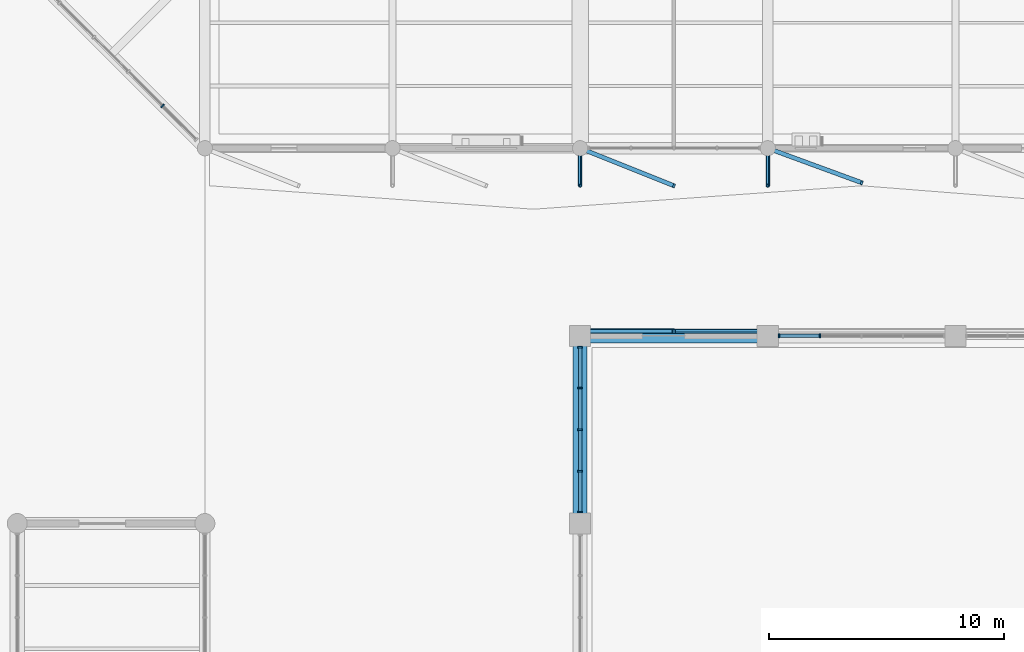
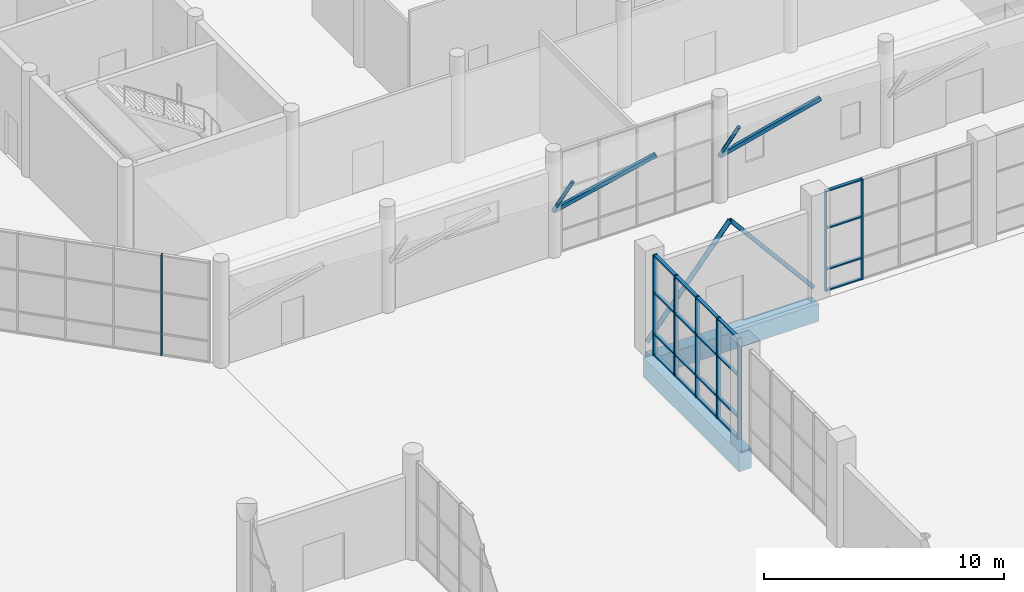
# One storey, part 45 of 123: 34 members, 2 beams, 3 elements without a shape of their own.
"""IFC4 building model written with IfcOpenShell, lengths in metres."""

from ifc_helpers import new_model, si_unit, direction, frame, origin, origin_2d, place, context, subcontext, project, spatial, rectangle, hollow_rectangle, hollow_circle, extrude, material, material_profile, profile_set, type_object, element, aggregate, save


model = new_model("IFC4")

# Units and contexts
model_context = context("Model", 3, precision=1e-05, world=origin(), true_north=direction((0.0, 1.0)))
body_context = subcontext(model_context, "Body", "Model", "MODEL_VIEW")
ifc_project = project(units=[si_unit("LENGTHUNIT", "METRE"), si_unit("AREAUNIT", "SQUARE_METRE"), si_unit("VOLUMEUNIT", "CUBIC_METRE"), si_unit("PLANEANGLEUNIT", "RADIAN"), si_unit("MASSUNIT", "GRAM", prefix="KILO")], contexts=[model_context])

# Site, building, storey
site_placement = place(None, origin())
site = spatial("IfcSite", under=ifc_project, at=site_placement, CompositionType="ELEMENT")
building_placement = place(site_placement, origin())
building = spatial("IfcBuilding", under=site, at=building_placement, Name="Tenunan Teduh Sports Hall", CompositionType="ELEMENT")
storey_placement = place(building_placement, origin())
storey = spatial("IfcBuildingStorey", under=building, at=storey_placement, Name="L00", CompositionType="ELEMENT", Elevation=0.0)

# Beams
ifc_material_1 = material(Name="Concrete C40/50", Category="concrete")
ifc_material_profile_1 = material_profile(ifc_material_1, rectangle(XDim=0.60009765625, YDim=1.0, at=origin_2d()), Name="RCB 600x1000")
ifc_profile_set_1 = profile_set([ifc_material_profile_1], Name="Concrete C40/50")
beam_type_1 = type_object("IfcBeamType", Name="BM-RC-600x1000", PredefinedType="BEAM", material=ifc_profile_set_1)
beam_1_placement = place(storey_placement, frame((122.0, 70.0, -0.800048828125), z_axis=(0.0, 1.0, 0.0), x_axis=(-1.0, 0.0, 0.0)))
element("IfcBeam", 1, at=beam_1_placement, inside=storey, type_object=beam_type_1, Name="BM-B-18-L00-0853", PredefinedType="BEAM", context=body_context, shape_type="SweptSolid", body=[
    extrude(rectangle(XDim=0.60009765625, YDim=1.0, at=origin_2d()), origin(), (0.0, 0.0, 1.0), 8.0),
])
ifc_material_2 = material(Name="Concrete C40/50", Category="concrete")
ifc_material_profile_2 = material_profile(ifc_material_2, rectangle(XDim=0.60009765625, YDim=0.89990234375, at=origin_2d()), Name="RCB 600x900")
ifc_profile_set_2 = profile_set([ifc_material_profile_2], Name="Concrete C40/50")
beam_type_2 = type_object("IfcBeamType", Name="BM-RC-600x900", PredefinedType="BEAM", material=ifc_profile_set_2)
beam_2_placement = place(storey_placement, frame((122.0, 78.0, -0.75), z_axis=(1.0, 0.0, 0.0), x_axis=(0.0, 1.0, 0.0)))
element("IfcBeam", 2, at=beam_2_placement, inside=storey, type_object=beam_type_2, Name="BM-B-17-L00-0679", PredefinedType="BEAM", context=body_context, shape_type="SweptSolid", body=[
    extrude(rectangle(XDim=0.60009765625, YDim=0.89990234375, at=origin_2d()), origin(), (0.0, 0.0, 1.0), 8.0),
])

# Curtain wall, members
ifc_material_3 = material(Name="Anodised aluminium", Category="aluminium")
curtain_wall_type = type_object("IfcCurtainWallType", Name="CW-UNIT-1", PredefinedType="NOTDEFINED", material=ifc_material_3)
curtain_wall_1_placement = place(storey_placement, origin())
curtain_wall_1 = element("IfcCurtainWall", 3, at=curtain_wall_1_placement, inside=storey, type_object=curtain_wall_type, Name="CW-CWM-175-L00-110", PredefinedType="NOTDEFINED")
ifc_material_4 = material(Name="Anodised aluminium", Category="aluminium")
ifc_material_profile_3 = material_profile(ifc_material_4, rectangle(XDim=0.06494140625, YDim=0.175048828125, at=origin_2d()), Name="CWM 65x175")
ifc_profile_set_3 = profile_set([ifc_material_profile_3], Name="Anodised aluminium")
member_type_1 = type_object("IfcMemberType", Name="CWM-175", PredefinedType="MULLION", material=ifc_profile_set_3)
member_1_placement = place(storey_placement, frame((130.482421875, 78.0, 0.0), z_axis=(0.0, 0.0, 1.0), x_axis=(1.0, 0.0, 0.0)))
member_1 = element("IfcMember", 4, at=member_1_placement, type_object=member_type_1, Name="CW-01 mullion 1", PredefinedType="MULLION", context=body_context, shape_type="SweptSolid", body=[
    extrude(rectangle(XDim=0.06494140625, YDim=0.175048828125, at=origin_2d()), origin(), (0.0, 0.0, 1.0), 5.1201171875),
])
member_2_placement = place(storey_placement, frame((132.22509765625, 78.0, 0.0), z_axis=(0.0, 0.0, 1.0), x_axis=(1.0, 0.0, 0.0)))
member_2 = element("IfcMember", 5, at=member_2_placement, type_object=member_type_1, Name="CW-01 mullion 2", PredefinedType="MULLION", context=body_context, shape_type="SweptSolid", body=[
    extrude(rectangle(XDim=0.06494140625, YDim=0.175048828125, at=origin_2d()), origin(), (0.0, 0.0, 1.0), 5.1201171875),
])

# Curtain wall, member
curtain_wall_2_placement = place(storey_placement, origin())
curtain_wall_2 = element("IfcCurtainWall", 6, at=curtain_wall_2_placement, inside=storey, type_object=curtain_wall_type, Name="CW-CWM-175-L00-242", PredefinedType="NOTDEFINED")
member_3_placement = place(storey_placement, frame((104.1953125, 87.8046875, 0.0), z_axis=(0.0, 0.0, 1.0), x_axis=(-0.707106781187, 0.707106781187, 0.0)))
member_3 = element("IfcMember", 7, at=member_3_placement, type_object=member_type_1, Name="CW-01 mullion 5", PredefinedType="MULLION", context=body_context, shape_type="SweptSolid", body=[
    extrude(rectangle(XDim=0.06494140625, YDim=0.175048828125, at=origin_2d()), origin(), (0.0, 0.0, 1.0), 5.1201171875),
])
aggregate(curtain_wall_2, [member_3])

# Curtain wall, members
curtain_wall_3_placement = place(storey_placement, origin())
curtain_wall_3 = element("IfcCurtainWall", 8, at=curtain_wall_3_placement, inside=storey, type_object=curtain_wall_type, Name="CW-CWM-200-L00-116", PredefinedType="NOTDEFINED")
ifc_material_5 = material(Name="Anodised aluminium", Category="aluminium")
ifc_material_profile_4 = material_profile(ifc_material_5, rectangle(XDim=0.070068359375, YDim=0.199951171875, at=origin_2d()), Name="CWM 70x200")
ifc_profile_set_4 = profile_set([ifc_material_profile_4], Name="Anodised aluminium")
member_type_2 = type_object("IfcMemberType", Name="CWM-200", PredefinedType="MULLION", material=ifc_profile_set_4)
member_4_placement = place(storey_placement, frame((122.0, 70.485107421875, 0.0), z_axis=(0.0, 0.0, 1.0), x_axis=(0.0, 1.0, 0.0)))
member_4 = element("IfcMember", 9, at=member_4_placement, type_object=member_type_2, Name="CW-01 mullion 1", PredefinedType="MULLION", context=body_context, shape_type="SweptSolid", body=[
    extrude(rectangle(XDim=0.070068359375, YDim=0.199951171875, at=origin_2d()), origin(), (0.0, 0.0, 1.0), 5.1201171875),
])
member_5_placement = place(storey_placement, frame((122.0, 72.22509765625, 0.0), z_axis=(0.0, 0.0, 1.0), x_axis=(0.0, 1.0, 0.0)))
member_5 = element("IfcMember", 10, at=member_5_placement, type_object=member_type_2, Name="CW-01 mullion 2", PredefinedType="MULLION", context=body_context, shape_type="SweptSolid", body=[
    extrude(rectangle(XDim=0.070068359375, YDim=0.199951171875, at=origin_2d()), origin(), (0.0, 0.0, 1.0), 5.1201171875),
])
member_6_placement = place(storey_placement, frame((122.0, 74.0, 0.0), z_axis=(0.0, 0.0, 1.0), x_axis=(0.0, 1.0, 0.0)))
member_6 = element("IfcMember", 11, at=member_6_placement, type_object=member_type_2, Name="CW-01 mullion 3", PredefinedType="MULLION", context=body_context, shape_type="SweptSolid", body=[
    extrude(rectangle(XDim=0.070068359375, YDim=0.199951171875, at=origin_2d()), origin(), (0.0, 0.0, 1.0), 5.1201171875),
])
member_7_placement = place(storey_placement, frame((122.0, 75.77490234375, 0.0), z_axis=(0.0, 0.0, 1.0), x_axis=(0.0, 1.0, 0.0)))
member_7 = element("IfcMember", 12, at=member_7_placement, type_object=member_type_2, Name="CW-01 mullion 4", PredefinedType="MULLION", context=body_context, shape_type="SweptSolid", body=[
    extrude(rectangle(XDim=0.070068359375, YDim=0.199951171875, at=origin_2d()), origin(), (0.0, 0.0, 1.0), 5.1201171875),
])
member_8_placement = place(storey_placement, frame((122.0, 77.514892578125, 0.0), z_axis=(0.0, 0.0, 1.0), x_axis=(0.0, 1.0, 0.0)))
member_8 = element("IfcMember", 13, at=member_8_placement, type_object=member_type_2, Name="CW-01 mullion 5", PredefinedType="MULLION", context=body_context, shape_type="SweptSolid", body=[
    extrude(rectangle(XDim=0.070068359375, YDim=0.199951171875, at=origin_2d()), origin(), (0.0, 0.0, 1.0), 5.1201171875),
])

# Member
ifc_material_6 = material(Name="Anodised aluminium", Category="aluminium")
ifc_material_profile_5 = material_profile(ifc_material_6, rectangle(XDim=0.06494140625, YDim=0.139892578125, at=origin_2d()), Name="CWT 65x140")
ifc_profile_set_5 = profile_set([ifc_material_profile_5], Name="Anodised aluminium")
member_type_3 = type_object("IfcMemberType", Name="CWT-150", PredefinedType="USERDEFINED", material=ifc_profile_set_5)
member_9_placement = place(storey_placement, frame((130.514892578125, 78.0, 0.032470703125), z_axis=(1.0, 0.0, 0.0), x_axis=(0.0, 0.0, 1.0)))
member_9 = element("IfcMember", 14, at=member_9_placement, type_object=member_type_3, Name="CW-01 transom 1.1", ObjectType="TRANSOM", PredefinedType="USERDEFINED", context=body_context, shape_type="SweptSolid", body=[
    extrude(rectangle(XDim=0.06494140625, YDim=0.139892578125, at=origin_2d()), origin(), (0.0, 0.0, 1.0), 1.677490234375),
])

member_10_placement = place(storey_placement, frame((130.514892578125, 78.0, 1.10009765625), z_axis=(1.0, 0.0, 0.0), x_axis=(0.0, 0.0, 1.0)))
member_10 = element("IfcMember", 15, at=member_10_placement, type_object=member_type_3, Name="CW-01 transom 1.2", ObjectType="TRANSOM", PredefinedType="USERDEFINED", context=body_context, shape_type="SweptSolid", body=[
    extrude(rectangle(XDim=0.06494140625, YDim=0.139892578125, at=origin_2d()), origin(), (0.0, 0.0, 1.0), 1.677490234375),
])

member_11_placement = place(storey_placement, frame((130.514892578125, 78.0, 3.199951171875), z_axis=(1.0, 0.0, 0.0), x_axis=(0.0, 0.0, 1.0)))
member_11 = element("IfcMember", 16, at=member_11_placement, type_object=member_type_3, Name="CW-01 transom 1.3", ObjectType="TRANSOM", PredefinedType="USERDEFINED", context=body_context, shape_type="SweptSolid", body=[
    extrude(rectangle(XDim=0.06494140625, YDim=0.139892578125, at=origin_2d()), origin(), (0.0, 0.0, 1.0), 1.677490234375),
])

member_12_placement = place(storey_placement, frame((130.514892578125, 78.0, 5.08740234375), z_axis=(1.0, 0.0, 0.0), x_axis=(0.0, 0.0, 1.0)))
member_12 = element("IfcMember", 17, at=member_12_placement, type_object=member_type_3, Name="CW-01 transom 1.4", ObjectType="TRANSOM", PredefinedType="USERDEFINED", context=body_context, shape_type="SweptSolid", body=[
    extrude(rectangle(XDim=0.06494140625, YDim=0.139892578125, at=origin_2d()), origin(), (0.0, 0.0, 1.0), 1.677490234375),
])

aggregate(curtain_wall_1, [member_1, member_2, member_9, member_10, member_11, member_12])

ifc_material_7 = material(Name="Anodised aluminium", Category="aluminium")
ifc_material_profile_6 = material_profile(ifc_material_7, rectangle(XDim=0.070068359375, YDim=0.159912109375, at=origin_2d()), Name="CWT 70x160")
ifc_profile_set_6 = profile_set([ifc_material_profile_6], Name="Anodised aluminium")
member_type_4 = type_object("IfcMemberType", Name="CWT-200", PredefinedType="USERDEFINED", material=ifc_profile_set_6)
member_13_placement = place(storey_placement, frame((122.0, 70.52001953125, 0.034912109375), z_axis=(0.0, 1.0, 0.0), x_axis=(0.0, 0.0, 1.0)))
member_13 = element("IfcMember", 18, at=member_13_placement, type_object=member_type_4, Name="CW-01 transom 1.1", ObjectType="TRANSOM", PredefinedType="USERDEFINED", context=body_context, shape_type="SweptSolid", body=[
    extrude(rectangle(XDim=0.070068359375, YDim=0.159912109375, at=origin_2d()), origin(), (0.0, 0.0, 1.0), 1.669921875),
])

member_14_placement = place(storey_placement, frame((122.0, 70.52001953125, 1.10009765625), z_axis=(0.0, 1.0, 0.0), x_axis=(0.0, 0.0, 1.0)))
member_14 = element("IfcMember", 19, at=member_14_placement, type_object=member_type_4, Name="CW-01 transom 1.2", ObjectType="TRANSOM", PredefinedType="USERDEFINED", context=body_context, shape_type="SweptSolid", body=[
    extrude(rectangle(XDim=0.070068359375, YDim=0.159912109375, at=origin_2d()), origin(), (0.0, 0.0, 1.0), 1.669921875),
])

member_15_placement = place(storey_placement, frame((122.0, 70.52001953125, 3.199951171875), z_axis=(0.0, 1.0, 0.0), x_axis=(0.0, 0.0, 1.0)))
member_15 = element("IfcMember", 20, at=member_15_placement, type_object=member_type_4, Name="CW-01 transom 1.3", ObjectType="TRANSOM", PredefinedType="USERDEFINED", context=body_context, shape_type="SweptSolid", body=[
    extrude(rectangle(XDim=0.070068359375, YDim=0.159912109375, at=origin_2d()), origin(), (0.0, 0.0, 1.0), 1.669921875),
])

member_16_placement = place(storey_placement, frame((122.0, 70.52001953125, 5.0849609375), z_axis=(0.0, 1.0, 0.0), x_axis=(0.0, 0.0, 1.0)))
member_16 = element("IfcMember", 21, at=member_16_placement, type_object=member_type_4, Name="CW-01 transom 1.4", ObjectType="TRANSOM", PredefinedType="USERDEFINED", context=body_context, shape_type="SweptSolid", body=[
    extrude(rectangle(XDim=0.070068359375, YDim=0.159912109375, at=origin_2d()), origin(), (0.0, 0.0, 1.0), 1.669921875),
])

member_17_placement = place(storey_placement, frame((122.0, 72.260009765625, 0.034912109375), z_axis=(0.0, 1.0, 0.0), x_axis=(0.0, 0.0, 1.0)))
member_17 = element("IfcMember", 22, at=member_17_placement, type_object=member_type_4, Name="CW-01 transom 2.1", ObjectType="TRANSOM", PredefinedType="USERDEFINED", context=body_context, shape_type="SweptSolid", body=[
    extrude(rectangle(XDim=0.070068359375, YDim=0.159912109375, at=origin_2d()), origin(), (0.0, 0.0, 1.0), 1.705078125),
])

member_18_placement = place(storey_placement, frame((122.0, 72.260009765625, 1.10009765625), z_axis=(0.0, 1.0, 0.0), x_axis=(0.0, 0.0, 1.0)))
member_18 = element("IfcMember", 23, at=member_18_placement, type_object=member_type_4, Name="CW-01 transom 2.2", ObjectType="TRANSOM", PredefinedType="USERDEFINED", context=body_context, shape_type="SweptSolid", body=[
    extrude(rectangle(XDim=0.070068359375, YDim=0.159912109375, at=origin_2d()), origin(), (0.0, 0.0, 1.0), 1.705078125),
])

member_19_placement = place(storey_placement, frame((122.0, 72.260009765625, 3.199951171875), z_axis=(0.0, 1.0, 0.0), x_axis=(0.0, 0.0, 1.0)))
member_19 = element("IfcMember", 24, at=member_19_placement, type_object=member_type_4, Name="CW-01 transom 2.3", ObjectType="TRANSOM", PredefinedType="USERDEFINED", context=body_context, shape_type="SweptSolid", body=[
    extrude(rectangle(XDim=0.070068359375, YDim=0.159912109375, at=origin_2d()), origin(), (0.0, 0.0, 1.0), 1.705078125),
])

member_20_placement = place(storey_placement, frame((122.0, 72.260009765625, 5.0849609375), z_axis=(0.0, 1.0, 0.0), x_axis=(0.0, 0.0, 1.0)))
member_20 = element("IfcMember", 25, at=member_20_placement, type_object=member_type_4, Name="CW-01 transom 2.4", ObjectType="TRANSOM", PredefinedType="USERDEFINED", context=body_context, shape_type="SweptSolid", body=[
    extrude(rectangle(XDim=0.070068359375, YDim=0.159912109375, at=origin_2d()), origin(), (0.0, 0.0, 1.0), 1.705078125),
])

member_21_placement = place(storey_placement, frame((122.0, 74.034912109375, 0.034912109375), z_axis=(0.0, 1.0, 0.0), x_axis=(0.0, 0.0, 1.0)))
member_21 = element("IfcMember", 26, at=member_21_placement, type_object=member_type_4, Name="CW-01 transom 3.1", ObjectType="TRANSOM", PredefinedType="USERDEFINED", context=body_context, shape_type="SweptSolid", body=[
    extrude(rectangle(XDim=0.070068359375, YDim=0.159912109375, at=origin_2d()), origin(), (0.0, 0.0, 1.0), 1.705078125),
])

member_22_placement = place(storey_placement, frame((122.0, 74.034912109375, 1.10009765625), z_axis=(0.0, 1.0, 0.0), x_axis=(0.0, 0.0, 1.0)))
member_22 = element("IfcMember", 27, at=member_22_placement, type_object=member_type_4, Name="CW-01 transom 3.2", ObjectType="TRANSOM", PredefinedType="USERDEFINED", context=body_context, shape_type="SweptSolid", body=[
    extrude(rectangle(XDim=0.070068359375, YDim=0.159912109375, at=origin_2d()), origin(), (0.0, 0.0, 1.0), 1.705078125),
])

member_23_placement = place(storey_placement, frame((122.0, 74.034912109375, 3.199951171875), z_axis=(0.0, 1.0, 0.0), x_axis=(0.0, 0.0, 1.0)))
member_23 = element("IfcMember", 28, at=member_23_placement, type_object=member_type_4, Name="CW-01 transom 3.3", ObjectType="TRANSOM", PredefinedType="USERDEFINED", context=body_context, shape_type="SweptSolid", body=[
    extrude(rectangle(XDim=0.070068359375, YDim=0.159912109375, at=origin_2d()), origin(), (0.0, 0.0, 1.0), 1.705078125),
])

member_24_placement = place(storey_placement, frame((122.0, 74.034912109375, 5.0849609375), z_axis=(0.0, 1.0, 0.0), x_axis=(0.0, 0.0, 1.0)))
member_24 = element("IfcMember", 29, at=member_24_placement, type_object=member_type_4, Name="CW-01 transom 3.4", ObjectType="TRANSOM", PredefinedType="USERDEFINED", context=body_context, shape_type="SweptSolid", body=[
    extrude(rectangle(XDim=0.070068359375, YDim=0.159912109375, at=origin_2d()), origin(), (0.0, 0.0, 1.0), 1.705078125),
])

member_25_placement = place(storey_placement, frame((122.0, 75.81005859375, 0.034912109375), z_axis=(0.0, 1.0, 0.0), x_axis=(0.0, 0.0, 1.0)))
member_25 = element("IfcMember", 30, at=member_25_placement, type_object=member_type_4, Name="CW-01 transom 4.1", ObjectType="TRANSOM", PredefinedType="USERDEFINED", context=body_context, shape_type="SweptSolid", body=[
    extrude(rectangle(XDim=0.070068359375, YDim=0.159912109375, at=origin_2d()), origin(), (0.0, 0.0, 1.0), 1.669921875),
])

member_26_placement = place(storey_placement, frame((122.0, 75.81005859375, 1.10009765625), z_axis=(0.0, 1.0, 0.0), x_axis=(0.0, 0.0, 1.0)))
member_26 = element("IfcMember", 31, at=member_26_placement, type_object=member_type_4, Name="CW-01 transom 4.2", ObjectType="TRANSOM", PredefinedType="USERDEFINED", context=body_context, shape_type="SweptSolid", body=[
    extrude(rectangle(XDim=0.070068359375, YDim=0.159912109375, at=origin_2d()), origin(), (0.0, 0.0, 1.0), 1.669921875),
])

member_27_placement = place(storey_placement, frame((122.0, 75.81005859375, 3.199951171875), z_axis=(0.0, 1.0, 0.0), x_axis=(0.0, 0.0, 1.0)))
member_27 = element("IfcMember", 32, at=member_27_placement, type_object=member_type_4, Name="CW-01 transom 4.3", ObjectType="TRANSOM", PredefinedType="USERDEFINED", context=body_context, shape_type="SweptSolid", body=[
    extrude(rectangle(XDim=0.070068359375, YDim=0.159912109375, at=origin_2d()), origin(), (0.0, 0.0, 1.0), 1.669921875),
])

member_28_placement = place(storey_placement, frame((122.0, 75.81005859375, 5.0849609375), z_axis=(0.0, 1.0, 0.0), x_axis=(0.0, 0.0, 1.0)))
member_28 = element("IfcMember", 33, at=member_28_placement, type_object=member_type_4, Name="CW-01 transom 4.4", ObjectType="TRANSOM", PredefinedType="USERDEFINED", context=body_context, shape_type="SweptSolid", body=[
    extrude(rectangle(XDim=0.070068359375, YDim=0.159912109375, at=origin_2d()), origin(), (0.0, 0.0, 1.0), 1.669921875),
])

aggregate(curtain_wall_3, [member_4, member_5, member_6, member_7, member_8, member_13, member_14, member_15, member_16, member_17, member_18, member_19, member_20, member_21, member_22, member_23, member_24, member_25, member_26, member_27, member_28])

# Members
ifc_material_8 = material(Name="Steel S355", Category="steel")
ifc_material_profile_7 = material_profile(ifc_material_8, hollow_circle(Radius=0.084228515625, WallThickness=0.008056640625, at=origin_2d()), Name="CHS 168.3x8.0")
ifc_profile_set_7 = profile_set([ifc_material_profile_7], Name="Steel S355")
member_type_5 = type_object("IfcMemberType", Name="MEM-BR-CHS168", PredefinedType="BRACE", material=ifc_profile_set_7)
for number, where, z_axis, x_axis, name in (
    (34, (122.0, 86.0, 2.199951171875), (0.0, -0.551511423487, 0.834167339186), (1.0, 0.0, 0.0), "MEM-GD-04-L00-1153"),
    (35, (130.0, 86.0, 2.199951171875), (0.0, -0.551511423487, 0.834167339186), (1.0, 0.0, 0.0), "MEM-GD-04-L00-1157"),
):
    element("IfcMember", number, at=place(storey_placement, frame(where, z_axis=z_axis, x_axis=x_axis)), inside=storey, type_object=member_type_5, Name=name, PredefinedType="BRACE", context=body_context, shape_type="SweptSolid", body=[
        extrude(hollow_circle(Radius=0.084228515625, WallThickness=0.008056640625, at=origin_2d()), origin(), (0.0, 0.0, 1.0), 2.9013671875),
    ])
ifc_material_9 = material(Name="Steel S355", Category="steel")
ifc_material_profile_8 = material_profile(ifc_material_9, hollow_circle(Radius=0.096923828125, WallThickness=0.008056640625, at=origin_2d()), Name="CHS 193.7x8.0")
ifc_profile_set_8 = profile_set([ifc_material_profile_8], Name="Steel S355")
member_type_6 = type_object("IfcMemberType", Name="MEM-BR-CHS194", PredefinedType="BRACE", material=ifc_profile_set_8)
member_29_placement = place(storey_placement, frame((130.0, 78.18994140625, 0.25), z_axis=(-0.640180556359, 0.0, 0.768224482335), x_axis=(0.0, -1.0, 0.0)))
element("IfcMember", 36, at=member_29_placement, inside=storey, type_object=member_type_6, Name="MEM-GD-03-L00-1045", PredefinedType="BRACE", context=body_context, shape_type="SweptSolid", body=[
    extrude(hollow_circle(Radius=0.096923828125, WallThickness=0.008056640625, at=origin_2d()), origin(), (0.0, 0.0, 1.0), 6.248291015625),
])
ifc_material_10 = material(Name="Steel S355", Category="steel")
ifc_material_profile_9 = material_profile(ifc_material_10, hollow_circle(Radius=0.109619140625, WallThickness=0.010009765625, at=origin_2d()), Name="CHS 219.1x10.0")
ifc_profile_set_9 = profile_set([ifc_material_profile_9], Name="Steel S355")
member_type_7 = type_object("IfcMemberType", Name="MEM-BR-CHS219", PredefinedType="BRACE", material=ifc_profile_set_9)
member_30_placement = place(storey_placement, frame((122.0, 78.199951171875, 0.25), z_axis=(0.640180556359, 0.0, 0.768224482335), x_axis=(0.0, 1.0, 0.0)))
element("IfcMember", 37, at=member_30_placement, inside=storey, type_object=member_type_7, Name="MEM-GD-02-L00-1044", PredefinedType="BRACE", context=body_context, shape_type="SweptSolid", body=[
    extrude(hollow_circle(Radius=0.109619140625, WallThickness=0.010009765625, at=origin_2d()), origin(), (0.0, 0.0, 1.0), 6.248291015625),
])
ifc_material_11 = material(Name="Steel S355", Category="steel")
ifc_material_profile_10 = material_profile(ifc_material_11, hollow_rectangle(XDim=0.179931640625, YDim=0.179931640625, WallThickness=0.010009765625, at=origin_2d()), Name="SHS 180x180x10.0")
ifc_profile_set_10 = profile_set([ifc_material_profile_10], Name="Steel S355")
member_type_8 = type_object("IfcMemberType", Name="MEM-ST-SHS180", PredefinedType="STRUT", material=ifc_profile_set_10)
member_31_placement = place(storey_placement, frame((122.0, 86.0, 2.199951171875), z_axis=(0.809485829099, -0.323814094477, 0.489772523429), x_axis=(0.37141021739, 0.928468874232, 0.0)))
element("IfcMember", 38, at=member_31_placement, inside=storey, type_object=member_type_8, Name="MEM-VS-03-L00-1156", PredefinedType="STRUT", context=body_context, shape_type="SweptSolid", body=[
    extrude(hollow_rectangle(XDim=0.179931640625, YDim=0.179931640625, WallThickness=0.010009765625, at=origin_2d()), origin(), (0.0, 0.0, 1.0), 4.94140625),
])
member_32_placement = place(storey_placement, frame((130.0, 86.0, 2.199951171875), z_axis=(0.816543468244, -0.29972112433, 0.493380190217), x_axis=(0.344580801053, 0.938756662584, 0.0)))
element("IfcMember", 39, at=member_32_placement, inside=storey, type_object=member_type_8, Name="MEM-VS-03-L00-1160", PredefinedType="STRUT", context=body_context, shape_type="SweptSolid", body=[
    extrude(hollow_rectangle(XDim=0.179931640625, YDim=0.179931640625, WallThickness=0.010009765625, at=origin_2d()), origin(), (0.0, 0.0, 1.0), 4.9052734375),
])

save(model, "model.ifc")
